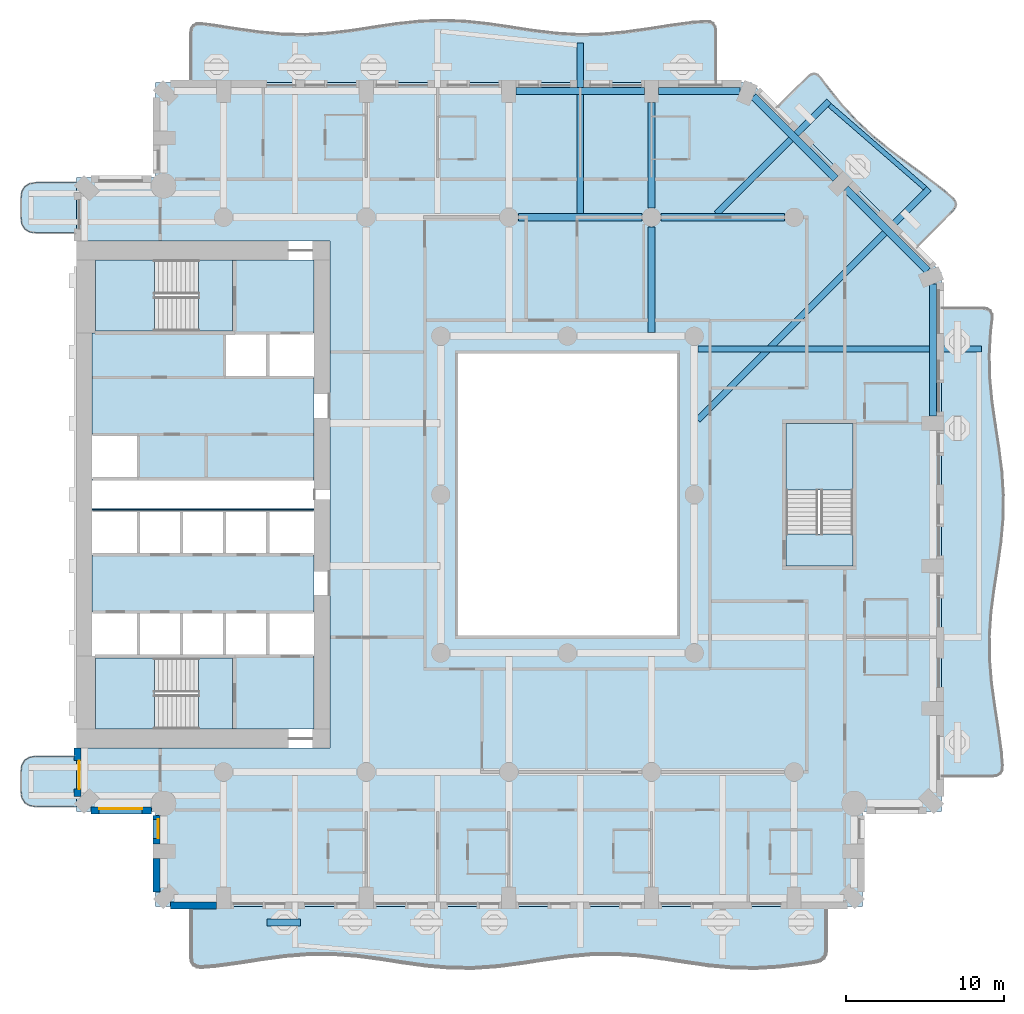
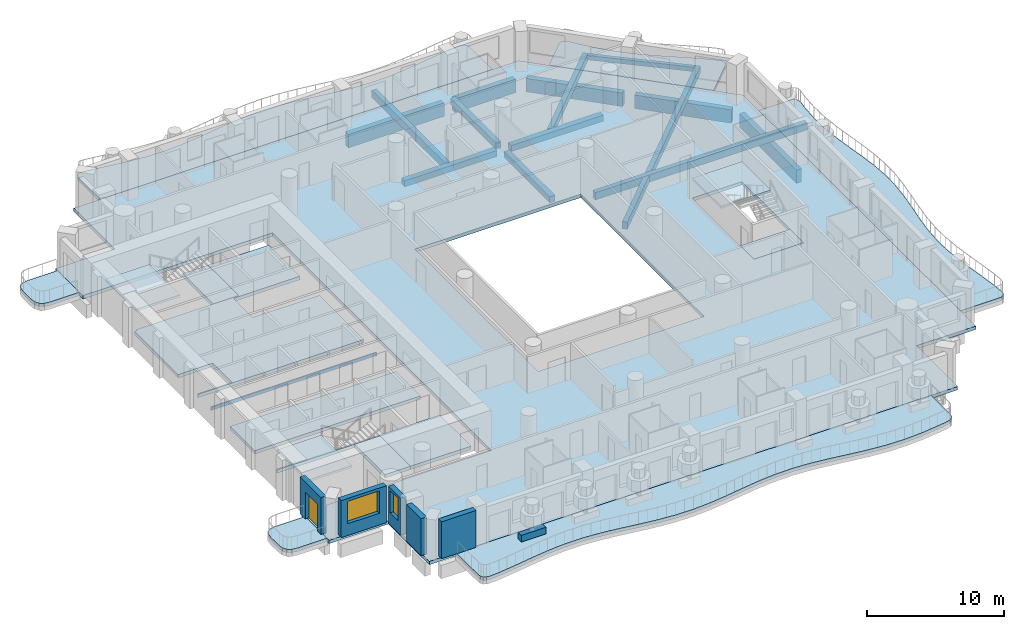
# One storey, part 2 of 19: 17 slabs, 14 beams, 6 walls, 2 windows, 1 door, 3 openings, 3 elements without a shape of their own.
"""IFC4 building model written with IfcOpenShell, lengths in metres."""

from ifc_helpers import new_model, si_unit, direction, frame, frame_2d, origin, origin_2d, place, context, subcontext, project, spatial, polyline, rectangle, outline, extrude, material, layer, layer_set, material_profile, profile_set, type_object, element, fill, aggregate, save


model = new_model("IFC4")

# Units and contexts
model_context = context("Model", 3, precision=1e-05, world=origin(), true_north=direction((0.0, 1.0)))
body_context = subcontext(model_context, "Body", "Model", "MODEL_VIEW")
ifc_project = project(units=[si_unit("LENGTHUNIT", "METRE"), si_unit("AREAUNIT", "SQUARE_METRE"), si_unit("VOLUMEUNIT", "CUBIC_METRE"), si_unit("PLANEANGLEUNIT", "RADIAN"), si_unit("MASSUNIT", "GRAM", prefix="KILO")], contexts=[model_context])

# Site, building, storey
site_placement = place(None, origin())
site = spatial("IfcSite", under=ifc_project, at=site_placement, CompositionType="ELEMENT")
building_placement = place(site_placement, origin())
building = spatial("IfcBuilding", under=site, at=building_placement, Name="Cypress Arch Tower", CompositionType="ELEMENT")
storey_placement = place(building_placement, frame((0.0, 0.0, 98.699951171875)))
storey = spatial("IfcBuildingStorey", under=building, at=storey_placement, Name="L19", CompositionType="ELEMENT", Elevation=98.699951171875)

# Beams
ifc_material_1 = material(Name="Concrete C50/60", Category="concrete")
ifc_material_profile_1 = material_profile(ifc_material_1, rectangle(XDim=0.300048828125, YDim=0.39990234375, at=origin_2d()), Name="RC 300x400")
ifc_profile_set_1 = profile_set([ifc_material_profile_1], Name="Concrete C50/60")
beam_type_1 = type_object("IfcBeamType", Name="Balcony edge beam RC 300x400 Concrete C50/60", PredefinedType="BEAM", material=ifc_profile_set_1)
beam_1_placement = place(storey_placement, frame((23.56689453125, 19.337646484375, -0.5), z_axis=(-0.755110430218, 0.655597619105, 0.0), x_axis=(-0.655597619105, -0.755110430218, 0.0)))
element("IfcBeam", 1, at=beam_1_placement, inside=storey, type_object=beam_type_1, Name="Balcony edge beam L19 A07", PredefinedType="BEAM", context=body_context, shape_type="SweptSolid", body=[
    extrude(rectangle(XDim=0.300048828125, YDim=0.39990234375, at=origin_2d()), origin(), (0.0, 0.0, 1.0), 7.980712890625),
])
ifc_material_2 = material(Name="Concrete C50/60", Category="concrete")
ifc_material_profile_2 = material_profile(ifc_material_2, rectangle(XDim=0.39990234375, YDim=0.64990234375, at=origin_2d()), Name="RC 400x650")
ifc_profile_set_2 = profile_set([ifc_material_profile_2], Name="Concrete C50/60")
beam_type_2 = type_object("IfcBeamType", Name="Cantilever beam RC 400x650 Concrete C50/60", PredefinedType="BEAM", material=ifc_profile_set_2)
beam_2_placement = place(storey_placement, frame((9.22509765625, 9.18798828125, -0.625), z_axis=(1.0, 0.0, 0.0), x_axis=(0.0, 1.0, 0.0)))
element("IfcBeam", 2, at=beam_2_placement, inside=storey, type_object=beam_type_2, Name="Cantilever beam L19 A06 2", PredefinedType="BEAM", context=body_context, shape_type="SweptSolid", body=[
    extrude(rectangle(XDim=0.39990234375, YDim=0.64990234375, at=origin_2d()), origin(), (0.0, 0.0, 1.0), 17.898681640625),
])
beam_3_placement = place(storey_placement, frame((9.22509765625, 4.712890625, -0.625), z_axis=(0.707106781187, 0.707106781187, 0.0), x_axis=(-0.707106781187, 0.707106781187, 0.0)))
element("IfcBeam", 3, at=beam_3_placement, inside=storey, type_object=beam_type_2, Name="Cantilever beam L19 A07 1", PredefinedType="BEAM", context=body_context, shape_type="SweptSolid", body=[
    extrude(rectangle(XDim=0.39990234375, YDim=0.64990234375, at=origin_2d()), origin(), (0.0, 0.0, 1.0), 20.632568359375),
])
beam_4_placement = place(storey_placement, frame((10.412841796875, 17.72509765625, -0.625), z_axis=(0.707106781187, 0.707106781187, 0.0), x_axis=(-0.707106781187, 0.707106781187, 0.0)))
element("IfcBeam", 4, at=beam_4_placement, inside=storey, type_object=beam_type_2, Name="Cantilever beam L19 A07 2", PredefinedType="BEAM", context=body_context, shape_type="SweptSolid", body=[
    extrude(rectangle(XDim=0.39990234375, YDim=0.64990234375, at=origin_2d()), origin(), (0.0, 0.0, 1.0), 10.030029296875),
])
beam_5_placement = place(storey_placement, frame((1.800048828125, 17.72509765625, -0.625), z_axis=(0.0, 1.0, 0.0), x_axis=(-1.0, 0.0, 0.0)))
element("IfcBeam", 5, at=beam_5_placement, inside=storey, type_object=beam_type_2, Name="Cantilever beam L19 A08 1", PredefinedType="BEAM", context=body_context, shape_type="SweptSolid", body=[
    extrude(rectangle(XDim=0.39990234375, YDim=0.64990234375, at=origin_2d()), origin(), (0.0, 0.0, 1.0), 10.780517578125),
])
ifc_material_3 = material(Name="Concrete C50/60", Category="concrete")
ifc_material_profile_3 = material_profile(ifc_material_3, rectangle(XDim=0.449951171875, YDim=0.550048828125, at=origin_2d()), Name="RC 450x550")
ifc_profile_set_3 = profile_set([ifc_material_profile_3], Name="Concrete C50/60")
beam_type_3 = type_object("IfcBeamType", Name="Floor beam RC 450x550 Concrete C50/60", PredefinedType="BEAM", material=ifc_profile_set_3)
for number, where, z_axis, x_axis, name in (
    (6, (-2.10009765625, 17.5, -0.574951171875), (1.0, 0.0, 0.0), (0.0, 1.0, 0.0), "Floor beam L19 FB017"),
    (7, (6.89990234375, 17.5, -0.574951171875), (1.0, 0.0, 0.0), (0.0, 1.0, 0.0), "Floor beam L19 FB018"),
):
    element("IfcBeam", number, at=place(storey_placement, frame(where, z_axis=z_axis, x_axis=x_axis)), inside=storey, type_object=beam_type_3, Name=name, PredefinedType="BEAM", context=body_context, shape_type="SweptSolid", body=[
        extrude(rectangle(XDim=0.449951171875, YDim=0.550048828125, at=origin_2d()), origin(), (0.0, 0.0, 1.0), 7.800048828125),
    ])
beam_6_placement = place(storey_placement, frame((6.300048828125, 10.22509765625, -0.574951171875), z_axis=(0.0, 1.0, 0.0), x_axis=(-1.0, 0.0, 0.0)))
element("IfcBeam", 8, at=beam_6_placement, inside=storey, type_object=beam_type_3, Name="Floor beam L19 FB032", PredefinedType="BEAM", context=body_context, shape_type="SweptSolid", body=[
    extrude(rectangle(XDim=0.449951171875, YDim=0.550048828125, at=origin_2d()), origin(), (0.0, 0.0, 1.0), 6.6748046875),
])
beam_7_placement = place(storey_placement, frame((6.300048828125, 18.10009765625, -0.574951171875), z_axis=(0.0, 1.0, 0.0), x_axis=(-1.0, 0.0, 0.0)))
element("IfcBeam", 9, at=beam_7_placement, inside=storey, type_object=beam_type_3, Name="Floor beam L19 FB033", PredefinedType="BEAM", context=body_context, shape_type="SweptSolid", body=[
    extrude(rectangle(XDim=0.449951171875, YDim=0.550048828125, at=origin_2d()), origin(), (0.0, 0.0, 1.0), 6.64990234375),
])
ifc_material_4 = material(Name="Concrete C50/60", Category="concrete")
ifc_material_profile_4 = material_profile(ifc_material_4, rectangle(XDim=0.449951171875, YDim=1.199951171875, at=origin_2d()), Name="RC 450x1200")
ifc_profile_set_4 = profile_set([ifc_material_profile_4], Name="Concrete C50/60")
beam_type_4 = type_object("IfcBeamType", Name="Spandrel beam RC 450x1200 Concrete C50/60", PredefinedType="SPANDREL", material=ifc_profile_set_4)
beam_8_placement = place(storey_placement, frame((24.074951171875, 4.949951171875, -1.550048828125), z_axis=(0.0, 1.0, 0.0), x_axis=(-1.0, 0.0, 0.0)))
element("IfcBeam", 10, at=beam_8_placement, inside=storey, type_object=beam_type_4, Name="Spandrel beam L19 BA06-3", PredefinedType="SPANDREL", context=body_context, shape_type="SweptSolid", body=[
    extrude(rectangle(XDim=0.449951171875, YDim=1.199951171875, at=origin_2d()), origin(), (0.0, 0.0, 1.0), 8.345458984375),
])
for number, where, z_axis, x_axis, name in (
    (11, (23.73046875, 14.126953125, -1.550048828125), (-0.707106781187, 0.707106781187, 0.0), (-0.707106781187, -0.707106781187, 0.0), "Spandrel beam L19 BA07-0"),
    (12, (17.91064453125, 19.947021484375, -1.550048828125), (-0.707106781187, 0.707106781187, 0.0), (-0.707106781187, -0.707106781187, 0.0), "Spandrel beam L19 BA07-1"),
):
    element("IfcBeam", number, at=place(storey_placement, frame(where, z_axis=z_axis, x_axis=x_axis)), inside=storey, type_object=beam_type_4, Name=name, PredefinedType="SPANDREL", context=body_context, shape_type="SweptSolid", body=[
        extrude(rectangle(XDim=0.449951171875, YDim=1.199951171875, at=origin_2d()), origin(), (0.0, 0.0, 1.0), 7.330810546875),
    ])
beam_9_placement = place(storey_placement, frame((11.8955078125, 25.47509765625, -1.550048828125), z_axis=(-1.0, 0.0, 0.0), x_axis=(0.0, -1.0, 0.0)))
element("IfcBeam", 13, at=beam_9_placement, inside=storey, type_object=beam_type_4, Name="Spandrel beam L19 BA08-0", PredefinedType="SPANDREL", context=body_context, shape_type="SweptSolid", body=[
    extrude(rectangle(XDim=0.449951171875, YDim=1.199951171875, at=origin_2d()), origin(), (0.0, 0.0, 1.0), 5.1455078125),
])
beam_10_placement = place(storey_placement, frame((5.85009765625, 25.47509765625, -1.550048828125), z_axis=(-1.0, 0.0, 0.0), x_axis=(0.0, -1.0, 0.0)))
element("IfcBeam", 14, at=beam_10_placement, inside=storey, type_object=beam_type_4, Name="Spandrel beam L19 BA08-1", PredefinedType="SPANDREL", context=body_context, shape_type="SweptSolid", body=[
    extrude(rectangle(XDim=0.449951171875, YDim=1.199951171875, at=origin_2d()), origin(), (0.0, 0.0, 1.0), 8.10009765625),
])

# Slabs
ifc_material_5 = material(Name="Concrete C40/50", Category="concrete")
ifc_layer_1 = layer(ifc_material_5, 0.300048828125)
ifc_layer_set_1 = layer_set([ifc_layer_1], Name="Balcony slab BS300")
slab_type_1 = type_object("IfcSlabType", Name="Balcony slab BS300", PredefinedType="USERDEFINED", material=ifc_layer_set_1)
slab_1_placement = place(storey_placement, frame((0.0, 0.0, -0.300048828125)))
element("IfcSlab", 15, at=slab_1_placement, inside=storey, type_object=slab_type_1, Name="Balcony slab L19-A00W0", ObjectType="BALCONY SLAB", PredefinedType="USERDEFINED", context=body_context, shape_type="SweptSolid", body=[
    extrude(outline(polyline([(-30.0, 19.699951171875), (-32.5, 19.699951171875), (-32.9375, 19.637451171875), (-33.25, 19.449951171875), (-33.4375, 19.137451171875), (-33.5, 18.699951171875), (-33.5, 17.5), (-33.4375, 17.0625), (-33.25, 16.75), (-32.9375, 16.5625), (-32.5, 16.5), (-30.0, 16.5), (-30.0, 19.699951171875)])), origin(), (0.0, 0.0, 1.0), 0.300048828125),
])
slab_2_placement = place(storey_placement, frame((0.0, 0.0, -0.300048828125)))
element("IfcSlab", 16, at=slab_2_placement, inside=storey, type_object=slab_type_1, Name="Balcony slab L19-A00W1", ObjectType="BALCONY SLAB", PredefinedType="USERDEFINED", context=body_context, shape_type="SweptSolid", body=[
    extrude(outline(polyline([(-30.0, -16.5), (-32.5, -16.5), (-32.9375, -16.5625), (-33.25, -16.75), (-33.4375, -17.0625), (-33.5, -17.5), (-33.5, -18.699951171875), (-33.4375, -19.137451171875), (-33.25, -19.449951171875), (-32.9375, -19.637451171875), (-32.5, -19.699951171875), (-30.0, -19.699951171875), (-30.0, -16.5)])), origin(), (0.0, 0.0, 1.0), 0.300048828125),
])
slab_3_placement = place(storey_placement, frame((0.0, 0.0, -0.300048828125)))
element("IfcSlab", 17, at=slab_3_placement, inside=storey, type_object=slab_type_1, Name="Balcony slab L19-A03", ObjectType="BALCONY SLAB", PredefinedType="USERDEFINED", context=body_context, shape_type="SweptSolid", body=[
    extrude(outline(polyline([(-22.75, -26.0), (-22.75, -29.21435546875), (-22.708251953125, -29.50439453125), (-22.5830078125, -29.7041015625), (-22.3740234375, -29.813720703125), (-22.081787109375, -29.8330078125), (-21.264892578125, -29.769775390625), (-19.779541015625, -29.571044921875), (-18.29443359375, -29.34033203125), (-16.809326171875, -29.138427734375), (-15.323974609375, -29.0185546875), (-13.8388671875, -29.011962890625), (-12.353759765625, -29.12060546875), (-10.868408203125, -29.315673828125), (-9.38330078125, -29.546142578125), (-7.898193359375, -29.751220703125), (-6.412841796875, -29.87744140625), (-4.927734375, -29.89111328125), (-3.442626953125, -29.788818359375), (-1.95751953125, -29.59765625), (-0.47216796875, -29.36767578125), (1.012939453125, -29.1591796875), (2.498046875, -29.02734375), (3.9833984375, -29.00634765625), (5.468505859375, -29.10205078125), (6.95361328125, -29.289306640625), (8.43896484375, -29.5185546875), (9.924072265625, -29.72998046875), (11.4091796875, -29.86767578125), (12.89453125, -29.895751953125), (14.379638671875, -29.806640625), (15.86474609375, -29.623779296875), (16.681640625, -29.498046875), (16.97412109375, -29.41064453125), (17.182861328125, -29.251708984375), (17.308349609375, -29.021240234375), (17.35009765625, -28.718994140625), (17.35009765625, -26.0), (-22.75, -26.0)])), origin(), (0.0, 0.0, 1.0), 0.300048828125),
])
slab_4_placement = place(storey_placement, frame((0.0, 0.0, -0.300048828125)))
element("IfcSlab", 18, at=slab_4_placement, inside=storey, type_object=slab_type_1, Name="Balcony slab L19-A06", ObjectType="BALCONY SLAB", PredefinedType="USERDEFINED", context=body_context, shape_type="SweptSolid", body=[
    extrude(outline(polyline([(24.60009765625, -17.75), (27.81884765625, -17.75), (28.10693359375, -17.70849609375), (28.305419921875, -17.583984375), (28.414306640625, -17.376708984375), (28.43359375, -17.086181640625), (28.370849609375, -16.27490234375), (28.174072265625, -14.800048828125), (27.945068359375, -13.324951171875), (27.7431640625, -11.85009765625), (27.620849609375, -10.375), (27.60986328125, -8.89990234375), (27.712890625, -7.425048828125), (27.903564453125, -5.949951171875), (28.132080078125, -4.47509765625), (28.33935546875, -3.0), (28.471435546875, -1.52490234375), (28.494384765625, -0.050048828125), (28.402099609375, 1.425048828125), (28.218505859375, 2.89990234375), (27.9912109375, 4.375), (27.779296875, 5.85009765625), (27.63720703125, 7.324951171875), (27.6025390625, 8.800048828125), (27.68359375, 10.27490234375), (27.780517578125, 11.086181640625), (27.7734375, 11.376708984375), (27.6728515625, 11.583984375), (27.478759765625, 11.70849609375), (27.19140625, 11.75), (24.60009765625, 11.75), (24.60009765625, -17.75)])), origin(), (0.0, 0.0, 1.0), 0.300048828125),
])
slab_5_placement = place(storey_placement, frame((0.0, 0.0, -0.300048828125)))
element("IfcSlab", 19, at=slab_5_placement, inside=storey, type_object=slab_type_1, Name="Balcony slab L19-A07", ObjectType="BALCONY SLAB", PredefinedType="USERDEFINED", context=body_context, shape_type="SweptSolid", body=[
    extrude(outline(polyline([(23.009033203125, 15.591064453125), (25.313720703125, 17.895751953125), (25.4775390625, 18.11474609375), (25.52685546875, 18.329345703125), (25.461669921875, 18.53955078125), (25.281982421875, 18.74560546875), (24.70263671875, 19.244140625), (23.595458984375, 20.0966796875), (22.464111328125, 20.9248046875), (21.343017578125, 21.76318359375), (20.2646484375, 22.64453125), (19.251708984375, 23.591064453125), (18.311767578125, 24.610595703125), (17.435546875, 25.694091796875), (16.975830078125, 26.31201171875), (16.783203125, 26.50537109375), (16.582275390625, 26.579833984375), (16.372314453125, 26.535400390625), (16.15380859375, 26.371826171875), (14.19091796875, 24.408935546875), (23.009033203125, 15.591064453125)])), origin(), (0.0, 0.0, 1.0), 0.300048828125),
])
slab_6_placement = place(storey_placement, frame((0.0, 0.0, -0.300048828125)))
element("IfcSlab", 20, at=slab_6_placement, inside=storey, type_object=slab_type_1, Name="Balcony slab L19-A08", ObjectType="BALCONY SLAB", PredefinedType="USERDEFINED", context=body_context, shape_type="SweptSolid", body=[
    extrude(outline(polyline([(10.35009765625, 26.0), (10.35009765625, 29.235107421875), (10.3095703125, 29.516357421875), (10.18798828125, 29.7099609375), (9.98583984375, 29.81640625), (9.702392578125, 29.835205078125), (8.910888671875, 29.77490234375), (7.4716796875, 29.584716796875), (6.03271484375, 29.361572265625), (4.593505859375, 29.159912109375), (3.154296875, 29.030029296875), (1.71533203125, 29.004150390625), (0.276123046875, 29.088134765625), (-1.1630859375, 29.26171875), (-2.602294921875, 29.481689453125), (-4.041259765625, 29.69384765625), (-5.48046875, 29.845947265625), (-6.919677734375, 29.89990234375), (-8.358642578125, 29.843017578125), (-9.7978515625, 29.688720703125), (-11.237060546875, 29.4755859375), (-12.676025390625, 29.256103515625), (-14.115234375, 29.08447265625), (-15.554443359375, 29.003173828125), (-16.993408203125, 29.032470703125), (-18.4326171875, 29.164794921875), (-19.871826171875, 29.367431640625), (-21.310791015625, 29.590576171875), (-22.102294921875, 29.6943359375), (-22.3857421875, 29.690673828125), (-22.588134765625, 29.5947265625), (-22.70947265625, 29.406494140625), (-22.75, 29.1259765625), (-22.75, 26.0), (10.35009765625, 26.0)])), origin(), (0.0, 0.0, 1.0), 0.300048828125),
])
ifc_material_6 = material(Name="Concrete C40/50", Category="concrete")
ifc_layer_2 = layer(ifc_material_6, 0.300048828125)
ifc_layer_set_2 = layer_set([ifc_layer_2], Name="Core floor CF300")
slab_type_2 = type_object("IfcSlabType", Name="Core floor CF300", PredefinedType="FLOOR", material=ifc_layer_set_2)
slab_7_placement = place(storey_placement, frame((0.0, 0.0, -0.300048828125)))
element("IfcSlab", 21, at=slab_7_placement, inside=storey, type_object=slab_type_2, Name="Core floor", PredefinedType="FLOOR", context=body_context, shape_type="SweptSolid", body=[
    extrude(outline(polyline([(-20.125, -14.800048828125), (-15.0, -14.800048828125), (-15.0, -10.199951171875), (-17.919921875, -10.199951171875), (-20.639892578125, -10.199951171875), (-23.360107421875, -10.199951171875), (-26.080078125, -10.199951171875), (-28.800048828125, -10.199951171875), (-28.800048828125, -10.324951171875), (-22.27490234375, -10.324951171875), (-20.125, -10.324951171875), (-20.125, -14.800048828125)])), origin(), (0.0, 0.0, 1.0), 0.300048828125),
])
slab_8_placement = place(storey_placement, frame((0.0, 0.0, -0.300048828125)))
element("IfcSlab", 22, at=slab_8_placement, inside=storey, type_object=slab_type_2, Name="Core floor", PredefinedType="FLOOR", context=body_context, shape_type="SweptSolid", body=[
    extrude(outline(polyline([(-29.0, -3.800048828125), (-29.0, -7.39990234375), (-26.080078125, -7.39990234375), (-23.360107421875, -7.39990234375), (-20.639892578125, -7.39990234375), (-17.919921875, -7.39990234375), (-15.0, -7.39990234375), (-15.0, -3.800048828125), (-17.919921875, -3.800048828125), (-20.639892578125, -3.800048828125), (-23.360107421875, -3.800048828125), (-26.080078125, -3.800048828125), (-29.0, -3.800048828125)])), origin(), (0.0, 0.0, 1.0), 0.300048828125),
])
slab_9_placement = place(storey_placement, frame((0.0, 0.0, -0.300048828125)))
element("IfcSlab", 23, at=slab_9_placement, inside=storey, type_object=slab_type_2, Name="Core floor", PredefinedType="FLOOR", context=body_context, shape_type="SweptSolid", body=[
    extrude(outline(polyline([(-29.0, 3.800048828125), (-29.0, 10.199951171875), (-28.800048828125, 10.199951171875), (-28.800048828125, 10.324951171875), (-28.60009765625, 10.324951171875), (-22.27490234375, 10.324951171875), (-20.125, 10.324951171875), (-20.125, 14.800048828125), (-15.39990234375, 14.800048828125), (-15.0, 14.800048828125), (-15.0, 10.199951171875), (-15.39990234375, 10.199951171875), (-17.919921875, 10.199951171875), (-20.639892578125, 10.199951171875), (-20.639892578125, 7.39990234375), (-17.919921875, 7.39990234375), (-15.39990234375, 7.39990234375), (-15.0, 7.39990234375), (-15.0, 0.89990234375), (-28.60009765625, 0.89990234375), (-29.0, 0.89990234375), (-29.0, 1.0), (-28.60009765625, 1.0), (-26.080078125, 1.0), (-26.080078125, 3.800048828125), (-28.60009765625, 3.800048828125), (-29.0, 3.800048828125)])), origin(), (0.0, 0.0, 1.0), 0.300048828125),
])
slab_10_placement = place(storey_placement, frame((0.0, 0.0, -0.300048828125)))
element("IfcSlab", 24, at=slab_10_placement, inside=storey, type_object=slab_type_2, Name="Core floor", PredefinedType="FLOOR", context=body_context, shape_type="SweptSolid", body=[
    extrude(outline(polyline([(-22.27490234375, -10.324951171875), (-22.27490234375, -14.800048828125), (-20.125, -14.800048828125), (-20.125, -10.324951171875), (-22.27490234375, -10.324951171875)])), origin(), (0.0, 0.0, 1.0), 0.300048828125),
])
slab_11_placement = place(storey_placement, frame((0.0, 0.0, -0.300048828125)))
element("IfcSlab", 25, at=slab_11_placement, inside=storey, type_object=slab_type_2, Name="Core floor", PredefinedType="FLOOR", context=body_context, shape_type="SweptSolid", body=[
    extrude(outline(polyline([(-20.125, 14.800048828125), (-22.27490234375, 14.800048828125), (-22.27490234375, 10.324951171875), (-20.125, 10.324951171875), (-20.125, 14.800048828125)])), origin(), (0.0, 0.0, 1.0), 0.300048828125),
])
slab_12_placement = place(storey_placement, frame((0.0, 0.0, -0.300048828125)))
element("IfcSlab", 26, at=slab_12_placement, inside=storey, type_object=slab_type_2, Name="Stair floor landing", PredefinedType="FLOOR", context=body_context, shape_type="SweptSolid", body=[
    extrude(outline(polyline([(19.0, -4.5), (19.0, -2.5), (14.800048828125, -2.5), (14.800048828125, -4.5), (19.0, -4.5)])), origin(), (0.0, 0.0, 1.0), 0.300048828125),
])
slab_13_placement = place(storey_placement, frame((0.0, 0.0, -0.300048828125)))
element("IfcSlab", 27, at=slab_13_placement, inside=storey, type_object=slab_type_2, Name="Core floor", PredefinedType="FLOOR", context=body_context, shape_type="SweptSolid", body=[
    extrude(outline(polyline([(-20.639892578125, -1.0), (-23.360107421875, -1.0), (-26.080078125, -1.0), (-28.60009765625, -1.0), (-29.0, -1.0), (-29.0, -0.89990234375), (-28.60009765625, -0.89990234375), (-15.39990234375, -0.89990234375), (-15.0, -0.89990234375), (-15.0, -1.0), (-15.39990234375, -1.0), (-17.919921875, -1.0), (-20.639892578125, -1.0)])), origin(), (0.0, 0.0, 1.0), 0.300048828125),
])
ifc_material_7 = material(Name="Concrete C40/50", Category="concrete")
ifc_layer_3 = layer(ifc_material_7, 0.300048828125)
ifc_layer_set_3 = layer_set([ifc_layer_3], Name="PT flat slab 300 Concrete C40/50")
slab_type_3 = type_object("IfcSlabType", Name="PT flat slab 300 Concrete C40/50", PredefinedType="FLOOR", material=ifc_layer_set_3)
slab_14_placement = place(storey_placement, frame((0.0, 0.0, -0.300048828125)))
element("IfcSlab", 28, at=slab_14_placement, inside=storey, type_object=slab_type_3, Name="Floor slab L19", PredefinedType="FLOOR", context=body_context, shape_type="SweptSolid", body=[
    extrude(outline(polyline([(-30.0, 20.0), (-25.0, 20.0), (-25.0, 26.0), (12.60009765625, 26.0), (24.60009765625, 14.0), (24.60009765625, -20.0), (19.60009765625, -20.0), (19.60009765625, -26.0), (-25.0, -26.0), (-25.0, -20.0), (-30.0, -20.0), (-30.0, -16.0), (-14.0, -16.0), (-14.0, 16.0), (-30.0, 16.0), (-30.0, 20.0)]), holes=[polyline([(-6.0, -9.0), (8.0, -9.0), (8.0, 9.0), (-6.0, 9.0), (-6.0, -9.0)]), polyline([(14.800048828125, -4.5), (19.0, -4.5), (19.0, 4.5), (14.800048828125, 4.5), (14.800048828125, -4.5)])]), origin(), (0.0, 0.0, 1.0), 0.300048828125),
])

# Stair, slab
ifc_material_8 = material(Name="Concrete C40/50", Category="concrete")
stair_type_1 = type_object("IfcStairType", Name="Exit stair ES1636-215", PredefinedType="HALF_TURN_STAIR", material=ifc_material_8)
stair_1_placement = place(storey_placement, origin())
stair_1 = element("IfcStair", 29, at=stair_1_placement, inside=storey, type_object=stair_type_1, Name="L19 Exit stair A", PredefinedType="HALF_TURN_STAIR")
ifc_material_9 = material(Name="Concrete C40/50", Category="concrete")
ifc_layer_4 = layer(ifc_material_9, 0.199951171875)
ifc_layer_set_4 = layer_set([ifc_layer_4], Name="Stair landing SL200")
slab_type_4 = type_object("IfcSlabType", Name="Stair landing SL200", PredefinedType="LANDING", material=ifc_layer_set_4)
slab_15_placement = place(storey_placement, frame((0.0, 0.0, 1.60009765625)))
slab_15 = element("IfcSlab", 30, at=slab_15_placement, type_object=slab_type_4, Name="A landing 1", PredefinedType="LANDING", context=body_context, shape_type="SweptSolid", body=[
    extrude(outline(polyline([(-25.074951171875, -10.324951171875), (-28.800048828125, -10.324951171875), (-28.800048828125, -14.800048828125), (-25.074951171875, -14.800048828125), (-25.074951171875, -10.324951171875)])), origin(), (0.0, 0.0, 1.0), 0.199951171875),
])
aggregate(stair_1, [slab_15])

stair_2_placement = place(storey_placement, origin())
stair_2 = element("IfcStair", 31, at=stair_2_placement, inside=storey, type_object=stair_type_1, Name="L19 Exit stair B", PredefinedType="HALF_TURN_STAIR")
slab_16_placement = place(storey_placement, frame((0.0, 0.0, 1.60009765625)))
slab_16 = element("IfcSlab", 32, at=slab_16_placement, type_object=slab_type_4, Name="B landing 1", PredefinedType="LANDING", context=body_context, shape_type="SweptSolid", body=[
    extrude(outline(polyline([(-25.074951171875, 14.800048828125), (-28.800048828125, 14.800048828125), (-28.800048828125, 10.324951171875), (-25.074951171875, 10.324951171875), (-25.074951171875, 14.800048828125)])), origin(), (0.0, 0.0, 1.0), 0.199951171875),
])
aggregate(stair_2, [slab_16])

ifc_material_10 = material(Name="Concrete C40/50", Category="concrete")
stair_type_2 = type_object("IfcStairType", Name="Exit stair ES1636-200", PredefinedType="HALF_TURN_STAIR", material=ifc_material_10)
stair_3_placement = place(storey_placement, origin())
stair_3 = element("IfcStair", 33, at=stair_3_placement, inside=storey, type_object=stair_type_2, Name="L19 Exit stair C", PredefinedType="HALF_TURN_STAIR")
slab_17_placement = place(storey_placement, frame((0.0, 0.0, 1.60009765625)))
slab_17 = element("IfcSlab", 34, at=slab_17_placement, type_object=slab_type_4, Name="C landing 1", PredefinedType="LANDING", context=body_context, shape_type="SweptSolid", body=[
    extrude(outline(polyline([(19.0, 0.300048828125), (19.0, 4.5), (14.800048828125, 4.5), (14.800048828125, 0.300048828125), (19.0, 0.300048828125)])), origin(), (0.0, 0.0, 1.0), 0.199951171875),
])
aggregate(stair_3, [slab_17])

# Wall
ifc_material_11 = material(Name="Concrete C40/50, waterproofed", Category="concrete")
ifc_layer_5 = layer(ifc_material_11, 0.449951171875)
ifc_layer_set_5 = layer_set([ifc_layer_5], Name="Balcony planter wall PW450")
wall_type_1 = type_object("IfcWallType", Name="Balcony planter wall PW450", PredefinedType="SOLIDWALL", material=ifc_layer_set_5)
wall_1_placement = place(storey_placement, frame((-17.949951171875, -27.0, 0.0), z_axis=(0.0, 0.0, 1.0), x_axis=(1.0, 0.0, 0.0)))
element("IfcWall", 35, at=wall_1_placement, inside=storey, type_object=wall_type_1, Name="Balcony planter wall L19-A03.1", PredefinedType="SOLIDWALL", context=body_context, shape_type="SweptSolid", body=[
    extrude(rectangle(XDim=2.099853515625, YDim=0.449951171875, at=frame_2d((1.0498046875, 0.0))), origin(), (0.0, 0.0, 1.0), 0.60009765625),
])

# Wall, opening, door
ifc_material_12 = material(Name="Brick (red buff blend)", Category="masonry")
ifc_layer_6 = layer(ifc_material_12, 0.449951171875)
ifc_layer_set_6 = layer_set([ifc_layer_6], Name="Brick pier and spandrel wall BW450")
wall_type_2 = type_object("IfcWallType", Name="Brick pier and spandrel wall BW450", PredefinedType="SOLIDWALL", material=ifc_layer_set_6)
wall_2_placement = place(storey_placement, frame((-29.925048828125, -16.0, 0.0), z_axis=(0.0, 0.0, 1.0), x_axis=(0.0, -1.0, 0.0)))
wall_2 = element("IfcWall", 36, at=wall_2_placement, inside=storey, type_object=wall_type_2, Name="Brick wall L19 A00.0.1", PredefinedType="SOLIDWALL", context=body_context, shape_type="SweptSolid", body=[
    extrude(rectangle(XDim=3.063720703125, YDim=0.449951171875, at=frame_2d((1.53173828125, 0.0))), origin(), (0.0, 0.0, 1.0), 3.300048828125),
])
opening_1_placement = place(wall_2_placement, frame((0.78173828125, 0.0, 0.0)))
opening_1 = element("IfcOpeningElement", 37, at=opening_1_placement, cuts=wall_2, Name="Opening D-L19-A00.0.1.9", PredefinedType="OPENING", context=body_context, shape_type="SweptSolid", body=[
    extrude(rectangle(XDim=1.800048828125, YDim=2.39990234375, at=frame_2d((0.89990234375, 1.199951171875))), frame((0.0, 0.23486328125, 0.0), z_axis=(0.0, -1.0, 0.0), x_axis=(1.0, 0.0, 0.0)), (0.0, 0.0, 1.0), 0.469970703125),
])
ifc_material_13 = material(Name="Anodised aluminium, bronze finish, laminated low-emissivity double glazing, large-missile impact rated", Category="aluminium")
door_type = type_object("IfcDoorType", Name="Balcony sliding door 1800x2400", OperationType="SLIDING_TO_LEFT", PredefinedType="DOOR", material=ifc_material_13)
door_placement = place(opening_1_placement, origin())
door = element("IfcDoor", 38, at=door_placement, inside=storey, type_object=door_type, Name="Balcony door L19 A00.0.1.9", OperationType="SLIDING_TO_LEFT", OverallHeight=2.39990234375, OverallWidth=1.800048828125, PredefinedType="DOOR", context=body_context, shape_type="SweptSolid", body=[
    extrude(rectangle(XDim=1.800048828125, YDim=2.39990234375, at=frame_2d((0.89990234375, 1.199951171875))), frame((0.0, 0.1298828125, 0.0), z_axis=(0.0, -1.0, 0.0), x_axis=(1.0, 0.0, 0.0)), (0.0, 0.0, 1.0), 0.050048828125),
])
fill(opening_1, door)

# Wall, opening, window
wall_3_placement = place(storey_placement, frame((-29.063720703125, -19.925048828125, 0.0), z_axis=(0.0, 0.0, 1.0), x_axis=(1.0, 0.0, 0.0)))
wall_3 = element("IfcWall", 39, at=wall_3_placement, inside=storey, type_object=wall_type_2, Name="Brick wall L19 A01.0", PredefinedType="SOLIDWALL", context=body_context, shape_type="SweptSolid", body=[
    extrude(rectangle(XDim=3.80517578125, YDim=0.449951171875, at=frame_2d((1.902587890625, 0.0))), origin(), (0.0, 0.0, 1.0), 3.300048828125),
])
opening_2_placement = place(wall_3_placement, frame((0.513671875, 0.0, 1.050048828125)))
opening_2 = element("IfcOpeningElement", 40, at=opening_2_placement, cuts=wall_3, Name="Opening W270H", PredefinedType="OPENING", context=body_context, shape_type="SweptSolid", body=[
    extrude(rectangle(XDim=2.699951171875, YDim=2.0, at=frame_2d((1.35009765625, 1.0))), frame((0.0, 0.23486328125, 0.0), z_axis=(0.0, -1.0, 0.0), x_axis=(1.0, 0.0, 0.0)), (0.0, 0.0, 1.0), 0.469970703125),
])
ifc_material_14 = material(Name="Anodised aluminium, bronze finish, clear low-emissivity double glazing", Category="aluminium")
window_type_1 = type_object("IfcWindowType", Name="Window Hotel 2700x2000", PartitioningType="SINGLE_PANEL", PredefinedType="WINDOW", material=ifc_material_14)
window_1_placement = place(opening_2_placement, origin())
window_1 = element("IfcWindow", 41, at=window_1_placement, inside=storey, type_object=window_type_1, Name="Window L19 A01.0.1", OverallHeight=2.0, OverallWidth=2.699951171875, PartitioningType="SINGLE_PANEL", PredefinedType="WINDOW", context=body_context, shape_type="SweptSolid", body=[
    extrude(rectangle(XDim=2.699951171875, YDim=2.0, at=frame_2d((1.35009765625, 1.0))), frame((0.0, 0.135009765625, 0.0), z_axis=(0.0, -1.0, 0.0), x_axis=(1.0, 0.0, 0.0)), (0.0, 0.0, 1.0), 0.06005859375),
])
fill(opening_2, window_1)

wall_4_placement = place(storey_placement, frame((-24.925048828125, -20.258544921875, 0.0), z_axis=(0.0, 0.0, 1.0), x_axis=(0.0, -1.0, 0.0)))
wall_4 = element("IfcWall", 42, at=wall_4_placement, inside=storey, type_object=wall_type_2, Name="Brick wall L19 A02.0", PredefinedType="SOLIDWALL", context=body_context, shape_type="SweptSolid", body=[
    extrude(rectangle(XDim=1.79150390625, YDim=0.449951171875, at=frame_2d((0.895751953125, 0.0))), origin(), (0.0, 0.0, 1.0), 3.300048828125),
])
opening_3_placement = place(wall_4_placement, frame((0.241455078125, 0.0, 1.050048828125)))
opening_3 = element("IfcOpeningElement", 43, at=opening_3_placement, cuts=wall_4, Name="Opening W120H", PredefinedType="OPENING", context=body_context, shape_type="SweptSolid", body=[
    extrude(rectangle(XDim=1.199951171875, YDim=2.0, at=frame_2d((0.60009765625, 1.0))), frame((0.0, 0.23486328125, 0.0), z_axis=(0.0, -1.0, 0.0), x_axis=(1.0, 0.0, 0.0)), (0.0, 0.0, 1.0), 0.469970703125),
])
ifc_material_15 = material(Name="Anodised aluminium, bronze finish, clear low-emissivity double glazing", Category="aluminium")
window_type_2 = type_object("IfcWindowType", Name="Window Hotel 1200x2000", PartitioningType="SINGLE_PANEL", PredefinedType="WINDOW", material=ifc_material_15)
window_2_placement = place(opening_3_placement, origin())
window_2 = element("IfcWindow", 44, at=window_2_placement, inside=storey, type_object=window_type_2, Name="Window L19 A02.0.1", OverallHeight=2.0, OverallWidth=1.199951171875, PartitioningType="SINGLE_PANEL", PredefinedType="WINDOW", context=body_context, shape_type="SweptSolid", body=[
    extrude(rectangle(XDim=1.199951171875, YDim=2.0, at=frame_2d((0.60009765625, 1.0))), frame((0.0, 0.135009765625, 0.0), z_axis=(0.0, -1.0, 0.0), x_axis=(1.0, 0.0, 0.0)), (0.0, 0.0, 1.0), 0.06005859375),
])
fill(opening_3, window_2)

# Walls
wall_5_placement = place(storey_placement, frame((-24.925048828125, -22.949951171875, 0.0), z_axis=(0.0, 0.0, 1.0), x_axis=(0.0, -1.0, 0.0)))
element("IfcWall", 45, at=wall_5_placement, inside=storey, type_object=wall_type_2, Name="Brick wall L19 A02.1", PredefinedType="SOLIDWALL", context=body_context, shape_type="SweptSolid", body=[
    extrude(rectangle(XDim=2.11376953125, YDim=0.449951171875, at=frame_2d((1.056884765625, 0.0))), origin(), (0.0, 0.0, 1.0), 3.300048828125),
])
wall_6_placement = place(storey_placement, frame((-24.063720703125, -25.925048828125, 0.0), z_axis=(0.0, 0.0, 1.0), x_axis=(1.0, 0.0, 0.0)))
element("IfcWall", 46, at=wall_6_placement, inside=storey, type_object=wall_type_2, Name="Brick wall L19 A03.0", PredefinedType="SOLIDWALL", context=body_context, shape_type="SweptSolid", body=[
    extrude(rectangle(XDim=2.913818359375, YDim=0.449951171875, at=frame_2d((1.45703125, 0.0))), origin(), (0.0, 0.0, 1.0), 3.300048828125),
])

save(model, "model.ifc")
